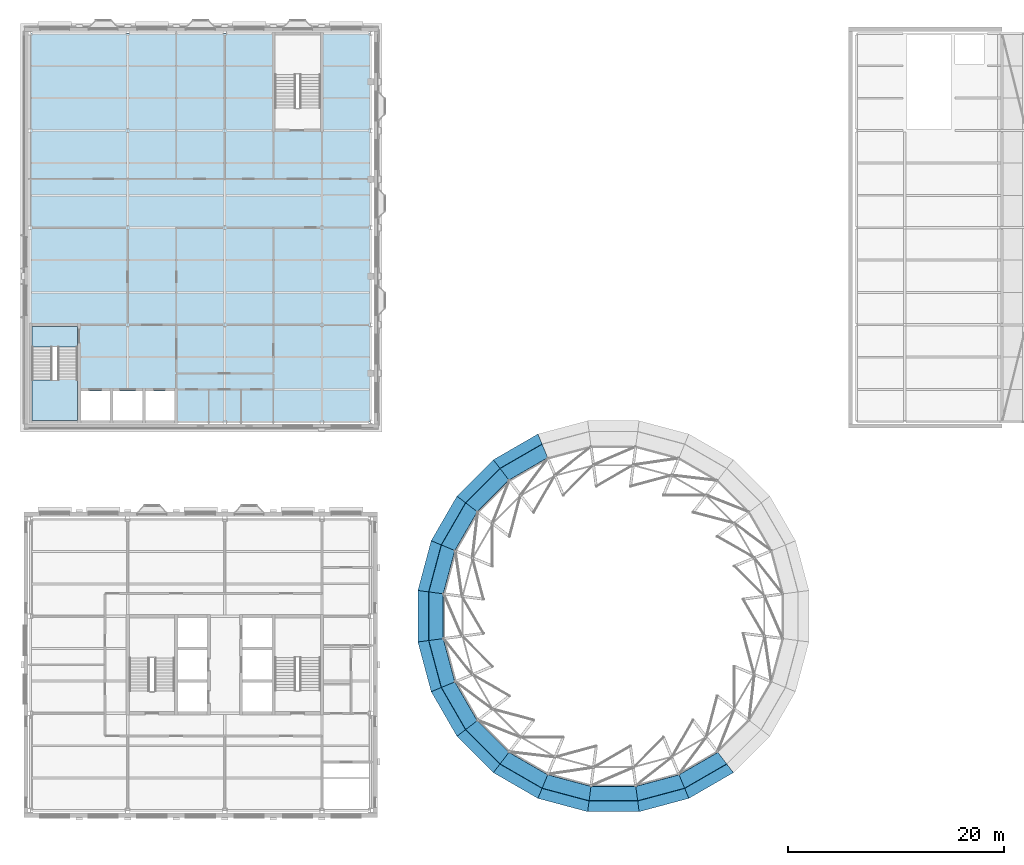
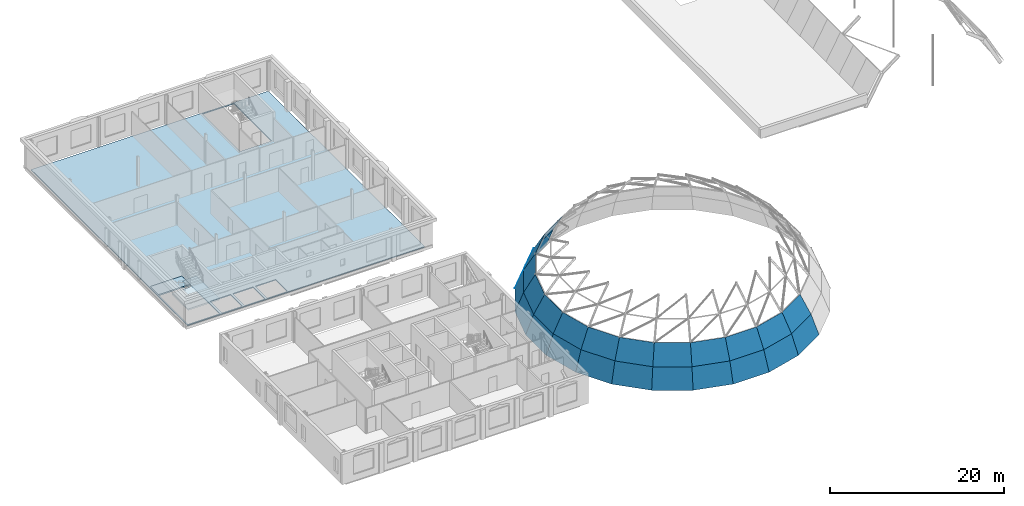
# One storey, part 28 of 62: 26 plates, 3 slabs, 1 element without a shape of its own.
"""IFC4 building model written with IfcOpenShell, lengths in metres."""

from ifc_helpers import new_model, si_unit, direction, frame, origin, place, context, subcontext, project, spatial, polyline, outline, extrude, material, layer, layer_set, type_object, element, aggregate, save


model = new_model("IFC4")

# Units and contexts
model_context = context("Model", 3, precision=1e-05, world=origin(), true_north=direction((0.0, 1.0)))
body_context = subcontext(model_context, "Body", "Model", "MODEL_VIEW")
ifc_project = project(units=[si_unit("LENGTHUNIT", "METRE"), si_unit("AREAUNIT", "SQUARE_METRE"), si_unit("VOLUMEUNIT", "CUBIC_METRE"), si_unit("PLANEANGLEUNIT", "RADIAN"), si_unit("MASSUNIT", "GRAM", prefix="KILO")], contexts=[model_context])

# Site, building, storey
site_placement = place(None, origin())
site = spatial("IfcSite", under=ifc_project, at=site_placement, CompositionType="ELEMENT")
building_placement = place(site_placement, origin())
building = spatial("IfcBuilding", under=site, at=building_placement, Name="Hortulan Conservatory and Botanical Research Centre", CompositionType="ELEMENT")
storey_placement = place(building_placement, frame((0.0, 0.0, 15.0)))
storey = spatial("IfcBuildingStorey", under=building, at=storey_placement, Name="L03", CompositionType="ELEMENT", Elevation=15.0)

# Slab
ifc_material_1 = material(Name="Concrete N32 (32 MPa, AS 3600)", Category="concrete")
ifc_layer_1 = layer(ifc_material_1, 0.1298828125)
ifc_layer_set_1 = layer_set([ifc_layer_1], Name="Composite Floor Slab 130")
slab_type_1 = type_object("IfcSlabType", Name="Composite Floor Slab 130", PredefinedType="FLOOR", material=ifc_layer_set_1)
slab_1_placement = place(storey_placement, frame((0.0, 0.0, -0.1298828125)))
element("IfcSlab", 1, at=slab_1_placement, inside=storey, type_object=slab_type_1, Name="Floor slab", PredefinedType="FLOOR", context=body_context, shape_type="SweptSolid", body=[
    extrude(outline(polyline([(0.0, 36.0), (31.5, 36.0), (31.5, 72.0), (0.0, 72.0), (0.0, 36.0)]), holes=[polyline([(4.64990234375, 36.14990234375), (7.35009765625, 36.14990234375), (7.35009765625, 38.85009765625), (4.64990234375, 38.85009765625), (4.64990234375, 36.14990234375)]), polyline([(7.64990234375, 36.14990234375), (10.35009765625, 36.14990234375), (10.35009765625, 38.85009765625), (7.64990234375, 38.85009765625), (7.64990234375, 36.14990234375)]), polyline([(10.64990234375, 36.14990234375), (13.35009765625, 36.14990234375), (13.35009765625, 38.85009765625), (10.64990234375, 38.85009765625), (10.64990234375, 36.14990234375)]), polyline([(0.14990234375, 44.85009765625), (0.14990234375, 36.14990234375), (4.35009765625, 36.14990234375), (4.35009765625, 44.85009765625), (0.14990234375, 44.85009765625)]), polyline([(22.64990234375, 71.85009765625), (22.64990234375, 63.14990234375), (26.85009765625, 63.14990234375), (26.85009765625, 71.85009765625), (22.64990234375, 71.85009765625)])]), origin(), (0.0, 0.0, 1.0), 0.1298828125),
])

# Plates
ifc_material_2 = material(Name="Low-e laminated glass", Category="glass")
ifc_layer_2 = layer(ifc_material_2, 0.030029296875)
ifc_layer_set_2 = layer_set([ifc_layer_2], Name="Dome Glazing Panel 30")
plate_type = type_object("IfcPlateType", Name="Dome Glazing Panel 30", PredefinedType="SHEET", material=ifc_layer_set_2)
plate_1_placement = place(storey_placement, frame((47.00830078125, 34.87939453125, -4.465576171875), z_axis=(-0.467478600191, 0.809753337619, 0.354631203617), x_axis=(-0.866041960435, -0.499971321888, -7.435214e-06)))
element("IfcPlate", 2, at=plate_1_placement, inside=storey, type_object=plate_type, Name="Dome glazing panel", PredefinedType="SHEET", context=body_context, shape_type="SweptSolid", body=[
    extrude(outline(polyline([(0.0, 0.0), (4.769478473994549, 1.1102230246251565e-16), (4.639200867701932, 2.792099158679018), (0.1303604620591359, 2.792025377052627), (0.0, 0.0)])), origin(), (0.0, 0.0, -1.0), 0.030029296875),
])
plate_2_placement = place(storey_placement, frame((42.877685546875, 32.494873046875, -4.465576171875), z_axis=(-0.661143112172, 0.661143112172, 0.354654156123), x_axis=(-0.707106781187, -0.707106781187, 0.0)))
element("IfcPlate", 3, at=plate_2_placement, inside=storey, type_object=plate_type, Name="Dome glazing panel", PredefinedType="SHEET", context=body_context, shape_type="SweptSolid", body=[
    extrude(outline(polyline([(0.0, 0.0), (4.769518103179184, 0.0), (4.639007183604713, 2.792088264448074), (0.1305109195744702, 2.7920882644480742), (0.0, 0.0)])), origin(), (0.0, 0.0, -1.0), 0.030029296875),
])
plate_3_placement = place(storey_placement, frame((39.505126953125, 29.122314453125, -4.465576171875), z_axis=(-0.809753337619, 0.467478600191, 0.354631203617), x_axis=(-0.499971321888, -0.866041960435, 7.435214e-06)))
element("IfcPlate", 4, at=plate_3_placement, inside=storey, type_object=plate_type, Name="Dome glazing panel", PredefinedType="SHEET", context=body_context, shape_type="SweptSolid", body=[
    extrude(outline(polyline([(0.0, 0.0), (4.769478473994549, -1.1102230246251565e-16), (4.6391180119354125, 2.7920253770526267), (0.1302776062926165, 2.792099158679018), (0.0, 0.0)])), origin(), (0.0, 0.0, -1.0), 0.030029296875),
])
plate_4_placement = place(storey_placement, frame((37.12060546875, 24.99169921875, -4.465576171875), z_axis=(-0.903141987231, 0.242017154605, 0.354629733352), x_axis=(-0.258842152253, -0.965919634433, -5.90549e-06)))
element("IfcPlate", 5, at=plate_4_placement, inside=storey, type_object=plate_type, Name="Dome glazing panel", PredefinedType="SHEET", context=body_context, shape_type="SweptSolid", body=[
    extrude(outline(polyline([(0.0, 0.0), (4.769499088301798, 5.551115123125783e-17), (4.63909727381225, 2.7920899027720325), (0.13023354177850718, 2.79203130076673), (0.0, 0.0)])), origin(), (0.0, 0.0, -1.0), 0.030029296875),
])
plate_5_placement = place(storey_placement, frame((35.885986328125, 20.384765625, -4.465576171875), z_axis=(-0.93499652648, 0.0, 0.354656870046), x_axis=(0.0, -1.0, 0.0)))
element("IfcPlate", 6, at=plate_5_placement, inside=storey, type_object=plate_type, Name="Dome glazing panel", PredefinedType="SHEET", context=body_context, shape_type="SweptSolid", body=[
    extrude(outline(polyline([(0.0, 0.0), (4.76953125, 0.0), (4.63916015625, 2.7920913385142603), (0.13037109375, 2.7920913385142603), (0.0, 0.0)])), origin(), (0.0, 0.0, -1.0), 0.030029296875),
])
plate_6_placement = place(storey_placement, frame((35.885986328125, 15.615234375, -4.465576171875), z_axis=(-0.903141987231, -0.242017154605, 0.354629733352), x_axis=(0.258842152253, -0.965919634433, 5.90549e-06)))
element("IfcPlate", 7, at=plate_6_placement, inside=storey, type_object=plate_type, Name="Dome glazing panel", PredefinedType="SHEET", context=body_context, shape_type="SweptSolid", body=[
    extrude(outline(polyline([(0.0, 0.0), (4.769499088301798, -5.551115123125783e-17), (4.639265546523291, 2.79203130076673), (0.1304018144895492, 2.7920899027720325), (0.0, 0.0)])), origin(), (0.0, 0.0, -1.0), 0.030029296875),
])
plate_7_placement = place(storey_placement, frame((37.12060546875, 11.00830078125, -4.465576171875), z_axis=(-0.809753337619, -0.467478600191, 0.354631203617), x_axis=(0.499971321888, -0.866041960435, -7.435214e-06)))
element("IfcPlate", 8, at=plate_7_placement, inside=storey, type_object=plate_type, Name="Dome glazing panel", PredefinedType="SHEET", context=body_context, shape_type="SweptSolid", body=[
    extrude(outline(polyline([(0.0, 0.0), (4.769478473994549, 1.1102230246251565e-16), (4.639200867701932, 2.792099158679018), (0.1303604620591359, 2.792025377052627), (0.0, 0.0)])), origin(), (0.0, 0.0, -1.0), 0.030029296875),
])
plate_8_placement = place(storey_placement, frame((39.505126953125, 6.877685546875, -4.465576171875), z_axis=(-0.661143112172, -0.661143112172, 0.354654156123), x_axis=(0.707106781187, -0.707106781187, 0.0)))
element("IfcPlate", 9, at=plate_8_placement, inside=storey, type_object=plate_type, Name="Dome glazing panel", PredefinedType="SHEET", context=body_context, shape_type="SweptSolid", body=[
    extrude(outline(polyline([(0.0, 0.0), (4.769518103179184, 0.0), (4.639007183604713, 2.792088264448074), (0.1305109195744702, 2.7920882644480742), (0.0, 0.0)])), origin(), (0.0, 0.0, -1.0), 0.030029296875),
])
plate_9_placement = place(storey_placement, frame((42.877685546875, 3.505126953125, -4.465576171875), z_axis=(-0.467478600191, -0.809753337619, 0.354631203617), x_axis=(0.866041960435, -0.499971321888, 7.435214e-06)))
element("IfcPlate", 10, at=plate_9_placement, inside=storey, type_object=plate_type, Name="Dome glazing panel", PredefinedType="SHEET", context=body_context, shape_type="SweptSolid", body=[
    extrude(outline(polyline([(0.0, 0.0), (4.769478473994549, -1.1102230246251565e-16), (4.6391180119354125, 2.7920253770526267), (0.1302776062926165, 2.792099158679018), (0.0, 0.0)])), origin(), (0.0, 0.0, -1.0), 0.030029296875),
])
plate_10_placement = place(storey_placement, frame((47.00830078125, 1.12060546875, -4.465576171875), z_axis=(-0.242017154605, -0.903141987231, 0.354629733352), x_axis=(0.965919634433, -0.258842152253, -5.90549e-06)))
element("IfcPlate", 11, at=plate_10_placement, inside=storey, type_object=plate_type, Name="Dome glazing panel", PredefinedType="SHEET", context=body_context, shape_type="SweptSolid", body=[
    extrude(outline(polyline([(0.0, 0.0), (4.769499088301798, 5.551115123125783e-17), (4.63909727381225, 2.7920899027720325), (0.13023354177850718, 2.79203130076673), (0.0, 0.0)])), origin(), (0.0, 0.0, -1.0), 0.030029296875),
])
plate_11_placement = place(storey_placement, frame((51.615234375, -0.114013671875, -4.465576171875), z_axis=(0.0, -0.93499652648, 0.354656870046), x_axis=(1.0, 0.0, 0.0)))
element("IfcPlate", 12, at=plate_11_placement, inside=storey, type_object=plate_type, Name="Dome glazing panel", PredefinedType="SHEET", context=body_context, shape_type="SweptSolid", body=[
    extrude(outline(polyline([(0.0, 0.0), (4.76953125, 0.0), (4.63916015625, 2.7920913385142603), (0.13037109375, 2.7920913385142603), (0.0, 0.0)])), origin(), (0.0, 0.0, -1.0), 0.030029296875),
])
plate_12_placement = place(storey_placement, frame((56.384765625, -0.114013671875, -4.465576171875), z_axis=(0.242017154605, -0.903141987231, 0.354629733352), x_axis=(0.965919634433, 0.258842152253, 5.90549e-06)))
element("IfcPlate", 13, at=plate_12_placement, inside=storey, type_object=plate_type, Name="Dome glazing panel", PredefinedType="SHEET", context=body_context, shape_type="SweptSolid", body=[
    extrude(outline(polyline([(0.0, 0.0), (4.769499088301798, -5.551115123125783e-17), (4.639265546523291, 2.79203130076673), (0.1304018144895492, 2.7920899027720325), (0.0, 0.0)])), origin(), (0.0, 0.0, -1.0), 0.030029296875),
])
plate_13_placement = place(storey_placement, frame((60.99169921875, 1.12060546875, -4.465576171875), z_axis=(0.467478600191, -0.809753337619, 0.354631203617), x_axis=(0.866041960435, 0.499971321888, -7.435214e-06)))
element("IfcPlate", 14, at=plate_13_placement, inside=storey, type_object=plate_type, Name="Dome glazing panel", PredefinedType="SHEET", context=body_context, shape_type="SweptSolid", body=[
    extrude(outline(polyline([(0.0, 0.0), (4.769478473994549, 1.1102230246251565e-16), (4.639200867701932, 2.792099158679018), (0.1303604620591359, 2.792025377052627), (0.0, 0.0)])), origin(), (0.0, 0.0, -1.0), 0.030029296875),
])
plate_14_placement = place(storey_placement, frame((47.390380859375, 33.956787109375, -1.85498046875), z_axis=(-0.436787237102, 0.756546229352, 0.486677215779), x_axis=(-0.86602804805, -0.499995419968, -7.16473e-07)))
element("IfcPlate", 15, at=plate_14_placement, inside=storey, type_object=plate_type, Name="Dome glazing panel", PredefinedType="SHEET", context=body_context, shape_type="SweptSolid", body=[
    extrude(outline(polyline([(0.0, 0.0), (4.508840407350451, -1.1102230246251565e-16), (4.330093512086589, 2.7891221385238065), (0.17870432845314543, 2.789115035793432), (0.0, 0.0)])), origin(), (0.0, 0.0, -1.0), 0.030029296875),
])
plate_15_placement = place(storey_placement, frame((43.485595703125, 31.702392578125, -1.85498046875), z_axis=(-0.617713868481, 0.617713868481, 0.486681778344), x_axis=(-0.707106781187, -0.707106781187, 0.0)))
element("IfcPlate", 16, at=plate_15_placement, inside=storey, type_object=plate_type, Name="Dome glazing panel", PredefinedType="SHEET", context=body_context, shape_type="SweptSolid", body=[
    extrude(outline(polyline([(0.0, 0.0), (4.508496264030243, 0.0), (4.3298206003271, 2.7891267026462576), (0.1786756637031437, 2.789126702646257), (0.0, 0.0)])), origin(), (0.0, 0.0, -1.0), 0.030029296875),
])
plate_16_placement = place(storey_placement, frame((40.297607421875, 28.514404296875, -1.85498046875), z_axis=(-0.756546229352, 0.436787237102, 0.486677215779), x_axis=(-0.499995419968, -0.86602804805, 7.16473e-07)))
element("IfcPlate", 17, at=plate_16_placement, inside=storey, type_object=plate_type, Name="Dome glazing panel", PredefinedType="SHEET", context=body_context, shape_type="SweptSolid", body=[
    extrude(outline(polyline([(0.0, 0.0), (4.508840407350451, 1.1102230246251565e-16), (4.330136078897306, 2.789115035793432), (0.17874689526386317, 2.7891221385238065), (0.0, 0.0)])), origin(), (0.0, 0.0, -1.0), 0.030029296875),
])
plate_17_placement = place(storey_placement, frame((38.043212890625, 24.609619140625, -1.85498046875), z_axis=(-0.843814176383, 0.22609905304, 0.486679415991), x_axis=(-0.25881947213, -0.965925711866, -1.337527e-06)))
element("IfcPlate", 18, at=plate_17_placement, inside=storey, type_object=plate_type, Name="Dome glazing panel", PredefinedType="SHEET", context=body_context, shape_type="SweptSolid", body=[
    extrude(outline(polyline([(0.0, 0.0), (4.508863733097076, 0.0), (4.330154750558121, 2.7891291305358745), (0.17869129493085006, 2.789115870827767), (0.0, 0.0)])), origin(), (0.0, 0.0, -1.0), 0.030029296875),
])
plate_18_placement = place(storey_placement, frame((36.876220703125, 20.25439453125, -1.85498046875), z_axis=(-0.873578609261, 0.0, 0.486683072895), x_axis=(0.0, -1.0, 0.0)))
element("IfcPlate", 19, at=plate_18_placement, inside=storey, type_object=plate_type, Name="Dome glazing panel", PredefinedType="SHEET", context=body_context, shape_type="SweptSolid", body=[
    extrude(outline(polyline([(0.0, 0.0), (4.5087890625, 0.0), (4.330078125, 2.7891290053017146), (0.1787109375, 2.7891290053017146), (0.0, 0.0)])), origin(), (0.0, 0.0, -1.0), 0.030029296875),
])
plate_19_placement = place(storey_placement, frame((36.876220703125, 15.74560546875, -1.85498046875), z_axis=(-0.843814176383, -0.22609905304, 0.486679415991), x_axis=(0.25881947213, -0.965925711866, 1.337527e-06)))
element("IfcPlate", 20, at=plate_19_placement, inside=storey, type_object=plate_type, Name="Dome glazing panel", PredefinedType="SHEET", context=body_context, shape_type="SweptSolid", body=[
    extrude(outline(polyline([(0.0, 0.0), (4.508863733097076, 0.0), (4.330172438166227, 2.789115870827767), (0.17870898253895498, 2.7891291305358745), (0.0, 0.0)])), origin(), (0.0, 0.0, -1.0), 0.030029296875),
])
plate_20_placement = place(storey_placement, frame((38.043212890625, 11.390380859375, -1.85498046875), z_axis=(-0.756546229352, -0.436787237102, 0.486677215779), x_axis=(0.499995419968, -0.86602804805, -7.16473e-07)))
element("IfcPlate", 21, at=plate_20_placement, inside=storey, type_object=plate_type, Name="Dome glazing panel", PredefinedType="SHEET", context=body_context, shape_type="SweptSolid", body=[
    extrude(outline(polyline([(0.0, 0.0), (4.508840407350451, -1.1102230246251565e-16), (4.330093512086589, 2.7891221385238065), (0.17870432845314543, 2.789115035793432), (0.0, 0.0)])), origin(), (0.0, 0.0, -1.0), 0.030029296875),
])
plate_21_placement = place(storey_placement, frame((40.297607421875, 7.485595703125, -1.85498046875), z_axis=(-0.617713868481, -0.617713868481, 0.486681778344), x_axis=(0.707106781187, -0.707106781187, 0.0)))
element("IfcPlate", 22, at=plate_21_placement, inside=storey, type_object=plate_type, Name="Dome glazing panel", PredefinedType="SHEET", context=body_context, shape_type="SweptSolid", body=[
    extrude(outline(polyline([(0.0, 0.0), (4.508496264030243, 0.0), (4.3298206003271, 2.7891267026462576), (0.1786756637031437, 2.789126702646257), (0.0, 0.0)])), origin(), (0.0, 0.0, -1.0), 0.030029296875),
])
plate_22_placement = place(storey_placement, frame((43.485595703125, 4.297607421875, -1.85498046875), z_axis=(-0.436787237102, -0.756546229352, 0.486677215779), x_axis=(0.86602804805, -0.499995419968, 7.16473e-07)))
element("IfcPlate", 23, at=plate_22_placement, inside=storey, type_object=plate_type, Name="Dome glazing panel", PredefinedType="SHEET", context=body_context, shape_type="SweptSolid", body=[
    extrude(outline(polyline([(0.0, 0.0), (4.508840407350451, 1.1102230246251565e-16), (4.330136078897306, 2.789115035793432), (0.17874689526386317, 2.7891221385238065), (0.0, 0.0)])), origin(), (0.0, 0.0, -1.0), 0.030029296875),
])
plate_23_placement = place(storey_placement, frame((47.390380859375, 2.043212890625, -1.85498046875), z_axis=(-0.22609905304, -0.843814176383, 0.486679415991), x_axis=(0.965925711866, -0.25881947213, -1.337527e-06)))
element("IfcPlate", 24, at=plate_23_placement, inside=storey, type_object=plate_type, Name="Dome glazing panel", PredefinedType="SHEET", context=body_context, shape_type="SweptSolid", body=[
    extrude(outline(polyline([(0.0, 0.0), (4.508863733097076, 0.0), (4.330154750558121, 2.7891291305358745), (0.17869129493085006, 2.789115870827767), (0.0, 0.0)])), origin(), (0.0, 0.0, -1.0), 0.030029296875),
])
plate_24_placement = place(storey_placement, frame((51.74560546875, 0.876220703125, -1.85498046875), z_axis=(0.0, -0.873578609261, 0.486683072895), x_axis=(1.0, 0.0, 0.0)))
element("IfcPlate", 25, at=plate_24_placement, inside=storey, type_object=plate_type, Name="Dome glazing panel", PredefinedType="SHEET", context=body_context, shape_type="SweptSolid", body=[
    extrude(outline(polyline([(0.0, 0.0), (4.5087890625, 0.0), (4.330078125, 2.7891290053017146), (0.1787109375, 2.7891290053017146), (0.0, 0.0)])), origin(), (0.0, 0.0, -1.0), 0.030029296875),
])
plate_25_placement = place(storey_placement, frame((56.25439453125, 0.876220703125, -1.85498046875), z_axis=(0.22609905304, -0.843814176383, 0.486679415991), x_axis=(0.965925711866, 0.25881947213, 1.337527e-06)))
element("IfcPlate", 26, at=plate_25_placement, inside=storey, type_object=plate_type, Name="Dome glazing panel", PredefinedType="SHEET", context=body_context, shape_type="SweptSolid", body=[
    extrude(outline(polyline([(0.0, 0.0), (4.508863733097076, 0.0), (4.330172438166227, 2.789115870827767), (0.17870898253895498, 2.7891291305358745), (0.0, 0.0)])), origin(), (0.0, 0.0, -1.0), 0.030029296875),
])
plate_26_placement = place(storey_placement, frame((60.609619140625, 2.043212890625, -1.85498046875), z_axis=(0.436787237102, -0.756546229352, 0.486677215779), x_axis=(0.86602804805, 0.499995419968, -7.16473e-07)))
element("IfcPlate", 27, at=plate_26_placement, inside=storey, type_object=plate_type, Name="Dome glazing panel", PredefinedType="SHEET", context=body_context, shape_type="SweptSolid", body=[
    extrude(outline(polyline([(0.0, 0.0), (4.508840407350451, -1.1102230246251565e-16), (4.330093512086589, 2.7891221385238065), (0.17870432845314543, 2.789115035793432), (0.0, 0.0)])), origin(), (0.0, 0.0, -1.0), 0.030029296875),
])

# Stair, slab
ifc_material_3 = material(Name="Concrete N40 (40 MPa, AS 3600)", Category="concrete")
stair_type = type_object("IfcStairType", Name="Concrete Escape Stair 1900", PredefinedType="HALF_TURN_STAIR", material=ifc_material_3)
stair_placement = place(storey_placement, origin())
stair = element("IfcStair", 28, at=stair_placement, inside=storey, type_object=stair_type, Name="Stair V1 L03", PredefinedType="HALF_TURN_STAIR")
ifc_layer_3 = layer(ifc_material_3, 0.199951171875)
ifc_layer_set_3 = layer_set([ifc_layer_3], Name="Stair Landing 200")
slab_type_2 = type_object("IfcSlabType", Name="Stair Landing 200", PredefinedType="LANDING", material=ifc_layer_set_3)
slab_2_placement = place(storey_placement, frame((0.0, 0.0, 1.89990234375)))
slab_2 = element("IfcSlab", 29, at=slab_2_placement, type_object=slab_type_2, Name="Stair V1 L03 half landing 1", PredefinedType="LANDING", context=body_context, shape_type="SweptSolid", body=[
    extrude(outline(polyline([(0.14990234375, 39.87060546875), (2.449951171875, 39.87060546875), (2.449951171875, 41.409912109375), (4.35009765625, 41.409912109375), (4.35009765625, 39.87060546875), (4.35009765625, 39.8701171875), (4.35009765625, 39.860107421875), (4.35009765625, 36.14990234375), (0.14990234375, 36.14990234375), (0.14990234375, 39.860107421875), (0.14990234375, 39.8701171875), (0.14990234375, 39.87060546875)])), origin(), (0.0, 0.0, 1.0), 0.2001953125),
])
aggregate(stair, [slab_2])

# Slab
slab_3_placement = place(storey_placement, frame((0.0, 0.0, -0.199951171875)))
element("IfcSlab", 30, at=slab_3_placement, inside=storey, type_object=slab_type_2, Name="Stair V1 floor landing L03", PredefinedType="LANDING", context=body_context, shape_type="SweptSolid", body=[
    extrude(outline(polyline([(0.14990234375, 44.85009765625), (4.35009765625, 44.85009765625), (4.35009765625, 42.949951171875), (0.14990234375, 42.949951171875), (0.14990234375, 44.85009765625)])), origin(), (0.0, 0.0, 1.0), 0.199951171875),
])

save(model, "model.ifc")
